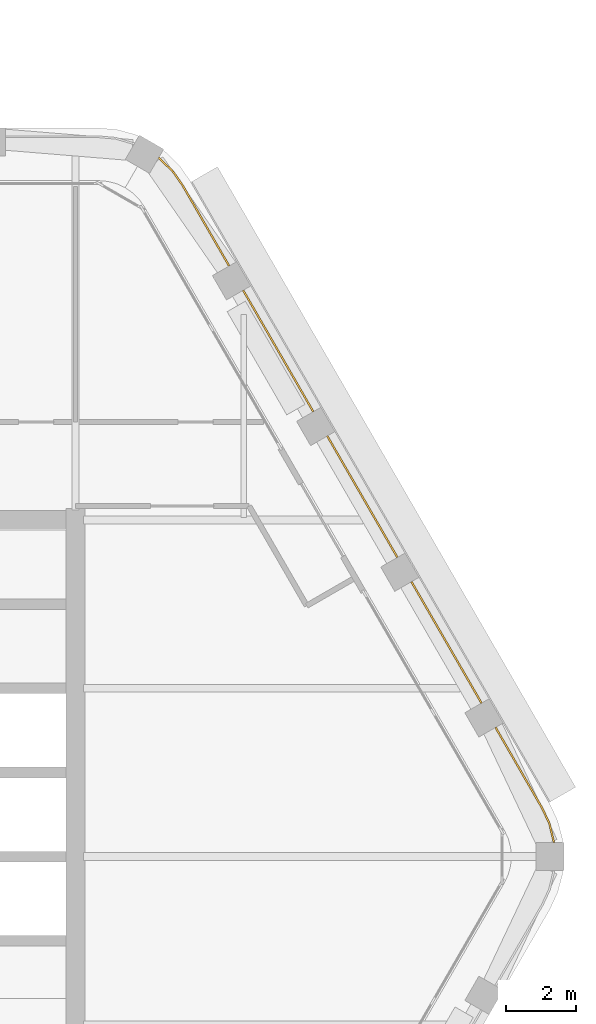
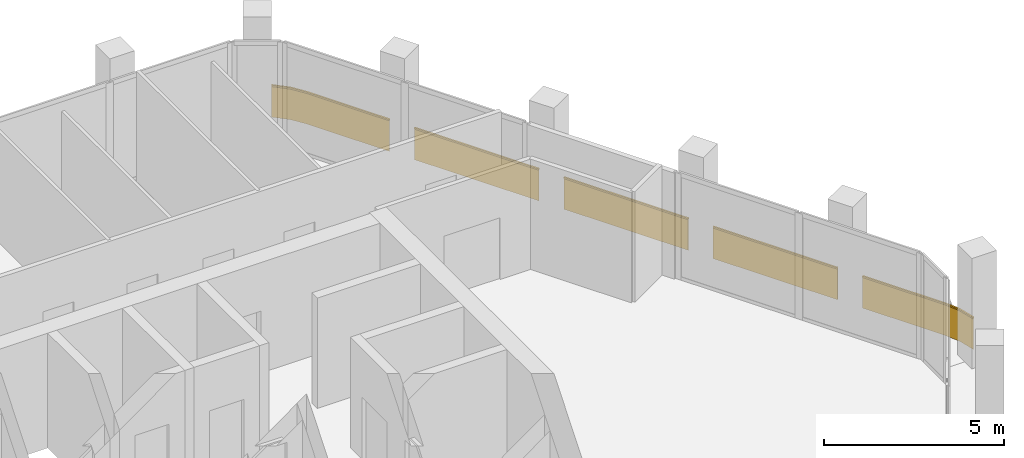
# One storey, part 14 of 14: 1 railing.
"""IFC4 building model written with IfcOpenShell, lengths in metres."""

from ifc_helpers import new_model, si_unit, direction, frame, frame_2d, origin, origin_2d, place, context, subcontext, project, spatial, rectangle, extrude, material, type_object, element, save


model = new_model("IFC4")

# Units and contexts
model_context = context("Model", 3, precision=1e-05, world=origin(), true_north=direction((0.0, 1.0)))
body_context = subcontext(model_context, "Body", "Model", "MODEL_VIEW")
ifc_project = project(units=[si_unit("LENGTHUNIT", "METRE"), si_unit("AREAUNIT", "SQUARE_METRE"), si_unit("VOLUMEUNIT", "CUBIC_METRE"), si_unit("PLANEANGLEUNIT", "RADIAN"), si_unit("MASSUNIT", "GRAM", prefix="KILO")], contexts=[model_context])

# Site, building, storey
site_placement = place(None, origin())
site = spatial("IfcSite", under=ifc_project, at=site_placement, CompositionType="ELEMENT")
building_placement = place(site_placement, origin())
building = spatial("IfcBuilding", under=site, at=building_placement, Name="Kolab Exchange Tower", CompositionType="ELEMENT")
storey_placement = place(building_placement, frame((0.0, 0.0, 234.5)))
storey = spatial("IfcBuildingStorey", under=building, at=storey_placement, Name="L51", CompositionType="ELEMENT", Elevation=234.5)

# Railing
ifc_material = material(Name="Steel S235", Category="steel")
railing_type = type_object("IfcRailingType", Name="GUARD 1100 GLASS BALUSTRADE AND STEEL TOP RAIL", PredefinedType="GUARDRAIL", material=ifc_material)
railing_placement = place(storey_placement, frame((23.2509765625, 0.3984375, 0.0)))
element("IfcRailing", 1, at=railing_placement, inside=storey, type_object=railing_type, Name="Guard", PredefinedType="GUARDRAIL", context=body_context, shape_type="SweptSolid", body=[
    extrude(rectangle(XDim=0.05, YDim=0.05, at=origin_2d()), frame((0.0, 0.0, 1.0751953125), z_axis=(-0.234597748196, 0.972092534968, 0.0), x_axis=(-0.972092534968, -0.234597748196, 0.0)), (0.0, 0.0, 1.0), 0.557861328125),
    extrude(rectangle(XDim=0.012, YDim=1.05009765625, at=frame_2d((0.0, 0.525146484375))), frame((0.0, 0.0, 0.0), z_axis=(-0.234597748196, 0.972092534968, 0.0), x_axis=(-0.972092534968, -0.234597748196, 0.0)), (0.0, 0.0, 1.0), 0.557861328125),
    extrude(rectangle(XDim=0.05, YDim=0.05, at=origin_2d()), frame((-0.130859375, 0.542236328125, 1.0751953125), z_axis=(-0.422801802984, 0.906222177721, 0.0), x_axis=(-0.906222177721, -0.422801802984, 0.0)), (0.0, 0.0, 1.0), 0.479248046875),
    extrude(rectangle(XDim=0.012, YDim=1.05009765625, at=frame_2d((0.0, 0.525146484375))), frame((-0.130859375, 0.542236328125, 0.0), z_axis=(-0.422801802984, 0.906222177721, 0.0), x_axis=(-0.906222177721, -0.422801802984, 0.0)), (0.0, 0.0, 1.0), 0.479248046875),
    extrude(rectangle(XDim=0.05, YDim=0.05, at=origin_2d()), frame((-0.33349609375, 0.9765625, 1.0751953125), z_axis=(-0.499997052475, 0.866027105532, 0.0), x_axis=(-0.866027105532, -0.499997052475, 0.0)), (0.0, 0.0, 1.0), 2.66796875),
    extrude(rectangle(XDim=0.012, YDim=1.05009765625, at=frame_2d((0.0, 0.525146484375))), frame((-0.33349609375, 0.9765625, 0.0), z_axis=(-0.499997052475, 0.866027105532, 0.0), x_axis=(-0.866027105532, -0.499997052475, 0.0)), (0.0, 0.0, 1.0), 2.66796875),
    extrude(rectangle(XDim=0.05, YDim=0.05, at=origin_2d()), frame((-2.0673828125, 3.97998046875, 1.0751953125), z_axis=(-0.49999894854, 0.866026010844, 0.0), x_axis=(-0.866026010844, -0.49999894854, 0.0)), (0.0, 0.0, 1.0), 4.0),
    extrude(rectangle(XDim=0.012, YDim=1.05009765625, at=frame_2d((0.0, 0.525146484375))), frame((-2.0673828125, 3.97998046875, 0.0), z_axis=(-0.49999894854, 0.866026010844, 0.0), x_axis=(-0.866026010844, -0.49999894854, 0.0)), (0.0, 0.0, 1.0), 4.0),
    extrude(rectangle(XDim=0.05, YDim=0.05, at=origin_2d()), frame((-4.467529296875, 8.13671875, 1.0751953125), z_axis=(-0.49999894854, 0.866026010844, 0.0), x_axis=(-0.866026010844, -0.49999894854, 0.0)), (0.0, 0.0, 1.0), 4.0),
    extrude(rectangle(XDim=0.012, YDim=1.05009765625, at=frame_2d((0.0, 0.525146484375))), frame((-4.467529296875, 8.13671875, 0.0), z_axis=(-0.49999894854, 0.866026010844, 0.0), x_axis=(-0.866026010844, -0.49999894854, 0.0)), (0.0, 0.0, 1.0), 4.0),
    extrude(rectangle(XDim=0.05, YDim=0.05, at=origin_2d()), frame((-6.867431640625, 12.293701171875, 1.0751953125), z_axis=(-0.49999894854, 0.866026010844, 0.0), x_axis=(-0.866026010844, -0.49999894854, 0.0)), (0.0, 0.0, 1.0), 4.0),
    extrude(rectangle(XDim=0.012, YDim=1.05009765625, at=frame_2d((0.0, 0.525146484375))), frame((-6.867431640625, 12.293701171875, 0.0), z_axis=(-0.49999894854, 0.866026010844, 0.0), x_axis=(-0.866026010844, -0.49999894854, 0.0)), (0.0, 0.0, 1.0), 4.0),
    extrude(rectangle(XDim=0.05, YDim=0.05, at=origin_2d()), frame((-9.267578125, 16.45068359375, 1.0751953125), z_axis=(-0.499997052475, 0.866027105532, 0.0), x_axis=(-0.866027105532, -0.499997052475, 0.0)), (0.0, 0.0, 1.0), 2.66796875),
    extrude(rectangle(XDim=0.012, YDim=1.05009765625, at=frame_2d((0.0, 0.525146484375))), frame((-9.267578125, 16.45068359375, 0.0), z_axis=(-0.499997052475, 0.866027105532, 0.0), x_axis=(-0.866027105532, -0.499997052475, 0.0)), (0.0, 0.0, 1.0), 2.66796875),
    extrude(rectangle(XDim=0.05, YDim=0.05, at=origin_2d()), frame((-10.6015625, 18.76123046875, 1.0751953125), z_axis=(-0.573599091554, 0.819136180478, 0.0), x_axis=(-0.819136180478, -0.573599091554, 0.0)), (0.0, 0.0, 1.0), 0.479248046875),
    extrude(rectangle(XDim=0.012, YDim=1.05009765625, at=frame_2d((0.0, 0.525146484375))), frame((-10.6015625, 18.76123046875, 0.0), z_axis=(-0.573599091554, 0.819136180478, 0.0), x_axis=(-0.819136180478, -0.573599091554, 0.0)), (0.0, 0.0, 1.0), 0.479248046875),
    extrude(rectangle(XDim=0.05, YDim=0.05, at=origin_2d()), frame((-10.87646484375, 19.15380859375, 1.0751953125), z_axis=(-0.724189990991, 0.689600505327, 0.0), x_axis=(-0.689600505327, -0.724189990991, 0.0)), (0.0, 0.0, 1.0), 0.5576171875),
    extrude(rectangle(XDim=0.012, YDim=1.05009765625, at=frame_2d((0.0, 0.525146484375))), frame((-10.87646484375, 19.15380859375, 0.0), z_axis=(-0.724189990991, 0.689600505327, 0.0), x_axis=(-0.689600505327, -0.724189990991, 0.0)), (0.0, 0.0, 1.0), 0.5576171875),
])

save(model, "model.ifc")
